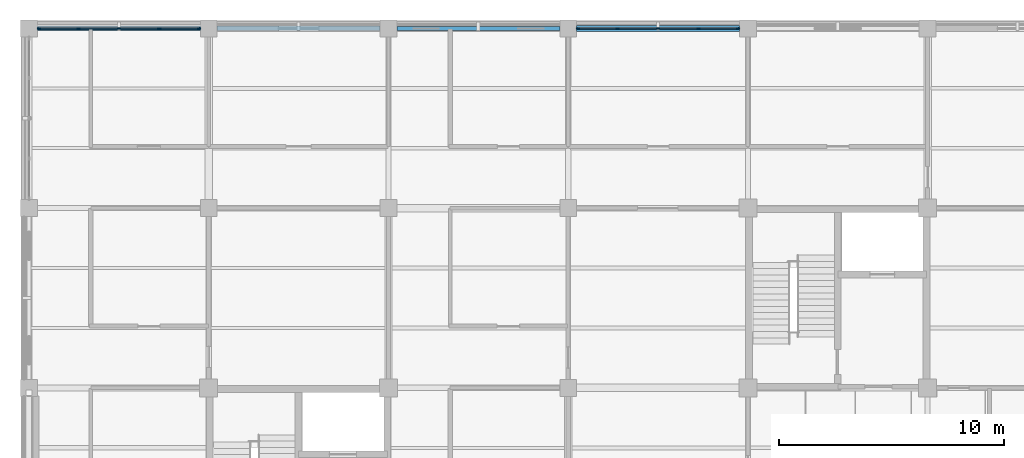
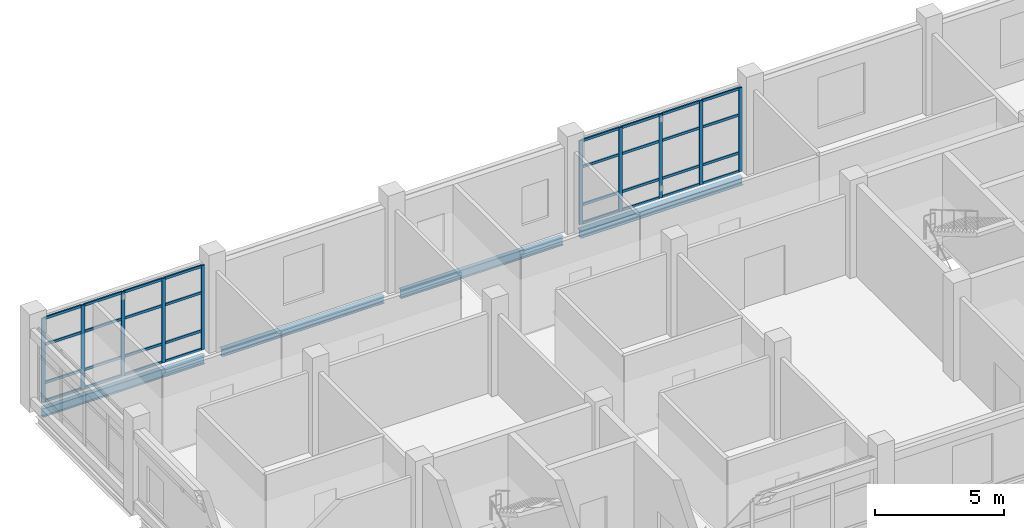
# One storey, part 36 of 121: 42 members, 4 beams, 2 elements without a shape of their own.
"""IFC4 building model written with IfcOpenShell, lengths in metres."""

from ifc_helpers import new_model, si_unit, derived_unit, direction, frame, origin, origin_2d, place, context, subcontext, project, spatial, rectangle, i_section, extrude, material, layer, layer_set, material_profile, profile_set, type_object, element, aggregate, save


model = new_model("IFC4")

# Units and contexts
model_context = context("Model", 3, precision=1e-05, world=origin(), true_north=direction((0.0, 1.0)))
body_context = subcontext(model_context, "Body", "Model", "MODEL_VIEW")
ifc_project = project(units=[si_unit("LENGTHUNIT", "METRE"), si_unit("AREAUNIT", "SQUARE_METRE"), si_unit("VOLUMEUNIT", "CUBIC_METRE"), si_unit("PLANEANGLEUNIT", "RADIAN"), si_unit("MASSUNIT", "GRAM", prefix="KILO"), derived_unit("THERMALTRANSMITTANCEUNIT", [(si_unit("MASSUNIT", "GRAM", prefix="KILO"), 1), (si_unit("TIMEUNIT", "SECOND"), -3), (si_unit("THERMODYNAMICTEMPERATUREUNIT", "KELVIN"), -1)])], contexts=[model_context])

# Site, building, storey
site_placement = place(None, origin())
site = spatial("IfcSite", under=ifc_project, at=site_placement, CompositionType="ELEMENT")
building_placement = place(site_placement, origin())
building = spatial("IfcBuilding", under=site, at=building_placement, Name="Veyamyaing Civic Hall", CompositionType="ELEMENT")
storey_placement = place(building_placement, frame((0.0, 0.0, 5.280029296875)))
storey = spatial("IfcBuildingStorey", under=building, at=storey_placement, Name="L01", CompositionType="ELEMENT", Elevation=5.280029296875)

# Beams
ifc_material_1 = material(Name="Steel ASTM A992", Category="steel")
ifc_material_profile_1 = material_profile(ifc_material_1, i_section(OverallWidth=0.179931640625, OverallDepth=0.4130859375, WebThickness=0.009765625, FlangeThickness=0.01611328125, FilletRadius=0.010009765625, at=origin_2d()), Name="W410X74")
ifc_profile_set_1 = profile_set([ifc_material_profile_1], Name="Steel ASTM A992")
beam_type_1 = type_object("IfcBeamType", Name="B-10", PredefinedType="SPANDREL", material=ifc_profile_set_1)
beam_1_placement = place(storey_placement, frame((0.375, 112.0, -0.451416015625), z_axis=(1.0, 0.0, 0.0), x_axis=(0.0, 1.0, 0.0)))
element("IfcBeam", 1, at=beam_1_placement, inside=storey, type_object=beam_type_1, Name="Girder B-10 L01 Grid Q 1-2", PredefinedType="SPANDREL", context=body_context, shape_type="SweptSolid", body=[
    extrude(i_section(OverallWidth=0.179931640625, OverallDepth=0.4130859375, WebThickness=0.009765625, FlangeThickness=0.01611328125, FilletRadius=0.010009765625, at=origin_2d()), origin(), (0.0, 0.0, 1.0), 7.25),
])
ifc_material_profile_2 = material_profile(ifc_material_1, i_section(OverallWidth=0.2041015625, OverallDepth=0.35009765625, WebThickness=0.0078125, FlangeThickness=0.01513671875, FilletRadius=0.010009765625, at=origin_2d()), Name="W360X72")
ifc_profile_set_2 = profile_set([ifc_material_profile_2], Name="Steel ASTM A992")
beam_type_2 = type_object("IfcBeamType", Name="B-11", PredefinedType="SPANDREL", material=ifc_profile_set_2)
beam_2_placement = place(storey_placement, frame((8.375, 112.0, -0.419921875), z_axis=(1.0, 0.0, 0.0), x_axis=(0.0, 1.0, 0.0)))
element("IfcBeam", 2, at=beam_2_placement, inside=storey, type_object=beam_type_2, Name="Girder B-11 L01 Grid Q 2-3", PredefinedType="SPANDREL", context=body_context, shape_type="SweptSolid", body=[
    extrude(i_section(OverallWidth=0.2041015625, OverallDepth=0.35009765625, WebThickness=0.0078125, FlangeThickness=0.01513671875, FilletRadius=0.010009765625, at=origin_2d()), origin(), (0.0, 0.0, 1.0), 7.25),
])
ifc_material_profile_3 = material_profile(ifc_material_1, i_section(OverallWidth=0.180908203125, OverallDepth=0.4169921875, WebThickness=0.010986328125, FlangeThickness=0.018310546875, FilletRadius=0.010009765625, at=origin_2d()), Name="W410X85")
ifc_profile_set_3 = profile_set([ifc_material_profile_3], Name="Steel ASTM A992")
beam_type_3 = type_object("IfcBeamType", Name="B-19", PredefinedType="SPANDREL", material=ifc_profile_set_3)
beam_3_placement = place(storey_placement, frame((16.375, 112.0, -0.45361328125), z_axis=(1.0, 0.0, 0.0), x_axis=(0.0, 1.0, 0.0)))
element("IfcBeam", 3, at=beam_3_placement, inside=storey, type_object=beam_type_3, Name="Girder B-19 L01 Grid Q 3-4", PredefinedType="SPANDREL", context=body_context, shape_type="SweptSolid", body=[
    extrude(i_section(OverallWidth=0.180908203125, OverallDepth=0.4169921875, WebThickness=0.010986328125, FlangeThickness=0.018310546875, FilletRadius=0.010009765625, at=origin_2d()), origin(), (0.0, 0.0, 1.0), 7.25),
])
ifc_material_profile_4 = material_profile(ifc_material_1, i_section(OverallWidth=0.25390625, OverallDepth=0.35302734375, WebThickness=0.009521484375, FlangeThickness=0.016357421875, FilletRadius=0.011962890625, at=origin_2d()), Name="W360X91")
ifc_profile_set_4 = profile_set([ifc_material_profile_4], Name="Steel ASTM A992")
beam_type_4 = type_object("IfcBeamType", Name="B-20", PredefinedType="SPANDREL", material=ifc_profile_set_4)
beam_4_placement = place(storey_placement, frame((24.375, 112.0, -0.421630859375), z_axis=(1.0, 0.0, 0.0), x_axis=(0.0, 1.0, 0.0)))
element("IfcBeam", 4, at=beam_4_placement, inside=storey, type_object=beam_type_4, Name="Girder B-20 L01 Grid Q 4-5", PredefinedType="SPANDREL", context=body_context, shape_type="SweptSolid", body=[
    extrude(i_section(OverallWidth=0.25390625, OverallDepth=0.35302734375, WebThickness=0.009521484375, FlangeThickness=0.016357421875, FilletRadius=0.011962890625, at=origin_2d()), origin(), (0.0, 0.0, 1.0), 7.25),
])

# Curtain wall, members
ifc_material_2 = material(Name="Anodised aluminium 6063-T6", Category="aluminium")
ifc_layer = layer(ifc_material_2, 0.159912109375, Name="Anodised aluminium 6063-T6")
ifc_layer_set = layer_set([ifc_layer], Name="Anodised aluminium 6063-T6")
curtain_wall_type = type_object("IfcCurtainWallType", Name="CW-02", PredefinedType="NOTDEFINED", material=ifc_layer_set)
curtain_wall_1_placement = place(storey_placement, origin())
curtain_wall_1 = element("IfcCurtainWall", 5, at=curtain_wall_1_placement, inside=storey, type_object=curtain_wall_type, Name="Unitized curtain wall CW-02 L01 N 1.14", PredefinedType="NOTDEFINED")
ifc_material_profile_5 = material_profile(ifc_material_2, rectangle(XDim=0.06494140625, YDim=0.159912109375, at=origin_2d()), Name="ALU-MUL-65X160")
ifc_profile_set_5 = profile_set([ifc_material_profile_5], Name="Anodised aluminium 6063-T6")
member_type_1 = type_object("IfcMemberType", Name="CWM-01", PredefinedType="MULLION", material=ifc_profile_set_5)
member_1_placement = place(storey_placement, frame((0.4375, 112.0, 0.0), z_axis=(0.0, 0.0, 1.0), x_axis=(0.0, 1.0, 0.0)))
member_1 = element("IfcMember", 6, at=member_1_placement, type_object=member_type_1, Name="CW-02 mullion 1", PredefinedType="MULLION", context=body_context, shape_type="SweptSolid", body=[
    extrude(rectangle(XDim=0.06494140625, YDim=0.159912109375, at=origin_2d()), origin(), (0.0, 0.0, 1.0), 3.97705078125),
])
member_2_placement = place(storey_placement, frame((2.202392578125, 112.0, 0.0), z_axis=(0.0, 0.0, 1.0), x_axis=(0.0, 1.0, 0.0)))
member_2 = element("IfcMember", 7, at=member_2_placement, type_object=member_type_1, Name="CW-02 mullion 2", PredefinedType="MULLION", context=body_context, shape_type="SweptSolid", body=[
    extrude(rectangle(XDim=0.06494140625, YDim=0.159912109375, at=origin_2d()), origin(), (0.0, 0.0, 1.0), 3.97705078125),
])
member_3_placement = place(storey_placement, frame((4.0, 112.0, 0.0), z_axis=(0.0, 0.0, 1.0), x_axis=(0.0, 1.0, 0.0)))
member_3 = element("IfcMember", 8, at=member_3_placement, type_object=member_type_1, Name="CW-02 mullion 3", PredefinedType="MULLION", context=body_context, shape_type="SweptSolid", body=[
    extrude(rectangle(XDim=0.06494140625, YDim=0.159912109375, at=origin_2d()), origin(), (0.0, 0.0, 1.0), 3.97705078125),
])
member_4_placement = place(storey_placement, frame((5.797607421875, 112.0, 0.0), z_axis=(0.0, 0.0, 1.0), x_axis=(0.0, 1.0, 0.0)))
member_4 = element("IfcMember", 9, at=member_4_placement, type_object=member_type_1, Name="CW-02 mullion 4", PredefinedType="MULLION", context=body_context, shape_type="SweptSolid", body=[
    extrude(rectangle(XDim=0.06494140625, YDim=0.159912109375, at=origin_2d()), origin(), (0.0, 0.0, 1.0), 3.97705078125),
])
member_5_placement = place(storey_placement, frame((7.5625, 112.0, 0.0), z_axis=(0.0, 0.0, 1.0), x_axis=(0.0, 1.0, 0.0)))
member_5 = element("IfcMember", 10, at=member_5_placement, type_object=member_type_1, Name="CW-02 mullion 5", PredefinedType="MULLION", context=body_context, shape_type="SweptSolid", body=[
    extrude(rectangle(XDim=0.06494140625, YDim=0.159912109375, at=origin_2d()), origin(), (0.0, 0.0, 1.0), 3.97705078125),
])

curtain_wall_2_placement = place(storey_placement, origin())
curtain_wall_2 = element("IfcCurtainWall", 11, at=curtain_wall_2_placement, inside=storey, type_object=curtain_wall_type, Name="Unitized curtain wall CW-02 L01 N 4.14", PredefinedType="NOTDEFINED")
member_6_placement = place(storey_placement, frame((24.4375, 112.0, 0.0), z_axis=(0.0, 0.0, 1.0), x_axis=(0.0, 1.0, 0.0)))
member_6 = element("IfcMember", 12, at=member_6_placement, type_object=member_type_1, Name="CW-02 mullion 1", PredefinedType="MULLION", context=body_context, shape_type="SweptSolid", body=[
    extrude(rectangle(XDim=0.06494140625, YDim=0.159912109375, at=origin_2d()), origin(), (0.0, 0.0, 1.0), 3.958984375),
])
member_7_placement = place(storey_placement, frame((26.202392578125, 112.0, 0.0), z_axis=(0.0, 0.0, 1.0), x_axis=(0.0, 1.0, 0.0)))
member_7 = element("IfcMember", 13, at=member_7_placement, type_object=member_type_1, Name="CW-02 mullion 2", PredefinedType="MULLION", context=body_context, shape_type="SweptSolid", body=[
    extrude(rectangle(XDim=0.06494140625, YDim=0.159912109375, at=origin_2d()), origin(), (0.0, 0.0, 1.0), 3.958984375),
])
member_8_placement = place(storey_placement, frame((28.0, 112.0, 0.0), z_axis=(0.0, 0.0, 1.0), x_axis=(0.0, 1.0, 0.0)))
member_8 = element("IfcMember", 14, at=member_8_placement, type_object=member_type_1, Name="CW-02 mullion 3", PredefinedType="MULLION", context=body_context, shape_type="SweptSolid", body=[
    extrude(rectangle(XDim=0.06494140625, YDim=0.159912109375, at=origin_2d()), origin(), (0.0, 0.0, 1.0), 3.958984375),
])
member_9_placement = place(storey_placement, frame((29.797607421875, 112.0, 0.0), z_axis=(0.0, 0.0, 1.0), x_axis=(0.0, 1.0, 0.0)))
member_9 = element("IfcMember", 15, at=member_9_placement, type_object=member_type_1, Name="CW-02 mullion 4", PredefinedType="MULLION", context=body_context, shape_type="SweptSolid", body=[
    extrude(rectangle(XDim=0.06494140625, YDim=0.159912109375, at=origin_2d()), origin(), (0.0, 0.0, 1.0), 3.958984375),
])
member_10_placement = place(storey_placement, frame((31.5625, 112.0, 0.0), z_axis=(0.0, 0.0, 1.0), x_axis=(0.0, 1.0, 0.0)))
member_10 = element("IfcMember", 16, at=member_10_placement, type_object=member_type_1, Name="CW-02 mullion 5", PredefinedType="MULLION", context=body_context, shape_type="SweptSolid", body=[
    extrude(rectangle(XDim=0.06494140625, YDim=0.159912109375, at=origin_2d()), origin(), (0.0, 0.0, 1.0), 3.958984375),
])

# Member
ifc_material_profile_6 = material_profile(ifc_material_2, rectangle(XDim=0.06494140625, YDim=0.1201171875, at=origin_2d()), Name="ALU-TRN-65X120")
ifc_profile_set_6 = profile_set([ifc_material_profile_6], Name="Anodised aluminium 6063-T6")
member_type_2 = type_object("IfcMemberType", Name="CWT-01", PredefinedType="USERDEFINED", material=ifc_profile_set_6)
member_11_placement = place(storey_placement, frame((0.469970703125, 112.0, 0.032470703125), z_axis=(1.0, 0.0, 0.0), x_axis=(0.0, 1.0, 0.0)))
member_11 = element("IfcMember", 17, at=member_11_placement, type_object=member_type_2, Name="CW-02 transom 1.1", ObjectType="TRANSOM", PredefinedType="USERDEFINED", context=body_context, shape_type="SweptSolid", body=[
    extrude(rectangle(XDim=0.06494140625, YDim=0.1201171875, at=origin_2d()), origin(), (0.0, 0.0, 1.0), 1.699951171875),
])

member_12_placement = place(storey_placement, frame((0.469970703125, 112.0, 0.89990234375), z_axis=(1.0, 0.0, 0.0), x_axis=(0.0, 1.0, 0.0)))
member_12 = element("IfcMember", 18, at=member_12_placement, type_object=member_type_2, Name="CW-02 transom 1.2", ObjectType="TRANSOM", PredefinedType="USERDEFINED", context=body_context, shape_type="SweptSolid", body=[
    extrude(rectangle(XDim=0.06494140625, YDim=0.1201171875, at=origin_2d()), origin(), (0.0, 0.0, 1.0), 1.699951171875),
])

member_13_placement = place(storey_placement, frame((0.469970703125, 112.0, 2.704345703125), z_axis=(1.0, 0.0, 0.0), x_axis=(0.0, 1.0, 0.0)))
member_13 = element("IfcMember", 19, at=member_13_placement, type_object=member_type_2, Name="CW-02 transom 1.3", ObjectType="TRANSOM", PredefinedType="USERDEFINED", context=body_context, shape_type="SweptSolid", body=[
    extrude(rectangle(XDim=0.06494140625, YDim=0.1201171875, at=origin_2d()), origin(), (0.0, 0.0, 1.0), 1.699951171875),
])

member_14_placement = place(storey_placement, frame((0.469970703125, 112.0, 3.944580078125), z_axis=(1.0, 0.0, 0.0), x_axis=(0.0, 1.0, 0.0)))
member_14 = element("IfcMember", 20, at=member_14_placement, type_object=member_type_2, Name="CW-02 transom 1.4", ObjectType="TRANSOM", PredefinedType="USERDEFINED", context=body_context, shape_type="SweptSolid", body=[
    extrude(rectangle(XDim=0.06494140625, YDim=0.1201171875, at=origin_2d()), origin(), (0.0, 0.0, 1.0), 1.699951171875),
])

member_15_placement = place(storey_placement, frame((2.235107421875, 112.0, 0.032470703125), z_axis=(1.0, 0.0, 0.0), x_axis=(0.0, 1.0, 0.0)))
member_15 = element("IfcMember", 21, at=member_15_placement, type_object=member_type_2, Name="CW-02 transom 2.1", ObjectType="TRANSOM", PredefinedType="USERDEFINED", context=body_context, shape_type="SweptSolid", body=[
    extrude(rectangle(XDim=0.06494140625, YDim=0.1201171875, at=origin_2d()), origin(), (0.0, 0.0, 1.0), 1.732421875),
])

member_16_placement = place(storey_placement, frame((2.235107421875, 112.0, 0.89990234375), z_axis=(1.0, 0.0, 0.0), x_axis=(0.0, 1.0, 0.0)))
member_16 = element("IfcMember", 22, at=member_16_placement, type_object=member_type_2, Name="CW-02 transom 2.2", ObjectType="TRANSOM", PredefinedType="USERDEFINED", context=body_context, shape_type="SweptSolid", body=[
    extrude(rectangle(XDim=0.06494140625, YDim=0.1201171875, at=origin_2d()), origin(), (0.0, 0.0, 1.0), 1.732421875),
])

member_17_placement = place(storey_placement, frame((2.235107421875, 112.0, 2.704345703125), z_axis=(1.0, 0.0, 0.0), x_axis=(0.0, 1.0, 0.0)))
member_17 = element("IfcMember", 23, at=member_17_placement, type_object=member_type_2, Name="CW-02 transom 2.3", ObjectType="TRANSOM", PredefinedType="USERDEFINED", context=body_context, shape_type="SweptSolid", body=[
    extrude(rectangle(XDim=0.06494140625, YDim=0.1201171875, at=origin_2d()), origin(), (0.0, 0.0, 1.0), 1.732421875),
])

member_18_placement = place(storey_placement, frame((2.235107421875, 112.0, 3.944580078125), z_axis=(1.0, 0.0, 0.0), x_axis=(0.0, 1.0, 0.0)))
member_18 = element("IfcMember", 24, at=member_18_placement, type_object=member_type_2, Name="CW-02 transom 2.4", ObjectType="TRANSOM", PredefinedType="USERDEFINED", context=body_context, shape_type="SweptSolid", body=[
    extrude(rectangle(XDim=0.06494140625, YDim=0.1201171875, at=origin_2d()), origin(), (0.0, 0.0, 1.0), 1.732421875),
])

member_19_placement = place(storey_placement, frame((4.032470703125, 112.0, 0.032470703125), z_axis=(1.0, 0.0, 0.0), x_axis=(0.0, 1.0, 0.0)))
member_19 = element("IfcMember", 25, at=member_19_placement, type_object=member_type_2, Name="CW-02 transom 3.1", ObjectType="TRANSOM", PredefinedType="USERDEFINED", context=body_context, shape_type="SweptSolid", body=[
    extrude(rectangle(XDim=0.06494140625, YDim=0.1201171875, at=origin_2d()), origin(), (0.0, 0.0, 1.0), 1.732421875),
])

member_20_placement = place(storey_placement, frame((4.032470703125, 112.0, 0.89990234375), z_axis=(1.0, 0.0, 0.0), x_axis=(0.0, 1.0, 0.0)))
member_20 = element("IfcMember", 26, at=member_20_placement, type_object=member_type_2, Name="CW-02 transom 3.2", ObjectType="TRANSOM", PredefinedType="USERDEFINED", context=body_context, shape_type="SweptSolid", body=[
    extrude(rectangle(XDim=0.06494140625, YDim=0.1201171875, at=origin_2d()), origin(), (0.0, 0.0, 1.0), 1.732421875),
])

member_21_placement = place(storey_placement, frame((4.032470703125, 112.0, 2.704345703125), z_axis=(1.0, 0.0, 0.0), x_axis=(0.0, 1.0, 0.0)))
member_21 = element("IfcMember", 27, at=member_21_placement, type_object=member_type_2, Name="CW-02 transom 3.3", ObjectType="TRANSOM", PredefinedType="USERDEFINED", context=body_context, shape_type="SweptSolid", body=[
    extrude(rectangle(XDim=0.06494140625, YDim=0.1201171875, at=origin_2d()), origin(), (0.0, 0.0, 1.0), 1.732421875),
])

member_22_placement = place(storey_placement, frame((4.032470703125, 112.0, 3.944580078125), z_axis=(1.0, 0.0, 0.0), x_axis=(0.0, 1.0, 0.0)))
member_22 = element("IfcMember", 28, at=member_22_placement, type_object=member_type_2, Name="CW-02 transom 3.4", ObjectType="TRANSOM", PredefinedType="USERDEFINED", context=body_context, shape_type="SweptSolid", body=[
    extrude(rectangle(XDim=0.06494140625, YDim=0.1201171875, at=origin_2d()), origin(), (0.0, 0.0, 1.0), 1.732421875),
])

member_23_placement = place(storey_placement, frame((5.830078125, 112.0, 0.032470703125), z_axis=(1.0, 0.0, 0.0), x_axis=(0.0, 1.0, 0.0)))
member_23 = element("IfcMember", 29, at=member_23_placement, type_object=member_type_2, Name="CW-02 transom 4.1", ObjectType="TRANSOM", PredefinedType="USERDEFINED", context=body_context, shape_type="SweptSolid", body=[
    extrude(rectangle(XDim=0.06494140625, YDim=0.1201171875, at=origin_2d()), origin(), (0.0, 0.0, 1.0), 1.699951171875),
])

member_24_placement = place(storey_placement, frame((5.830078125, 112.0, 0.89990234375), z_axis=(1.0, 0.0, 0.0), x_axis=(0.0, 1.0, 0.0)))
member_24 = element("IfcMember", 30, at=member_24_placement, type_object=member_type_2, Name="CW-02 transom 4.2", ObjectType="TRANSOM", PredefinedType="USERDEFINED", context=body_context, shape_type="SweptSolid", body=[
    extrude(rectangle(XDim=0.06494140625, YDim=0.1201171875, at=origin_2d()), origin(), (0.0, 0.0, 1.0), 1.699951171875),
])

member_25_placement = place(storey_placement, frame((5.830078125, 112.0, 2.704345703125), z_axis=(1.0, 0.0, 0.0), x_axis=(0.0, 1.0, 0.0)))
member_25 = element("IfcMember", 31, at=member_25_placement, type_object=member_type_2, Name="CW-02 transom 4.3", ObjectType="TRANSOM", PredefinedType="USERDEFINED", context=body_context, shape_type="SweptSolid", body=[
    extrude(rectangle(XDim=0.06494140625, YDim=0.1201171875, at=origin_2d()), origin(), (0.0, 0.0, 1.0), 1.699951171875),
])

member_26_placement = place(storey_placement, frame((5.830078125, 112.0, 3.944580078125), z_axis=(1.0, 0.0, 0.0), x_axis=(0.0, 1.0, 0.0)))
member_26 = element("IfcMember", 32, at=member_26_placement, type_object=member_type_2, Name="CW-02 transom 4.4", ObjectType="TRANSOM", PredefinedType="USERDEFINED", context=body_context, shape_type="SweptSolid", body=[
    extrude(rectangle(XDim=0.06494140625, YDim=0.1201171875, at=origin_2d()), origin(), (0.0, 0.0, 1.0), 1.699951171875),
])

aggregate(curtain_wall_1, [member_1, member_2, member_3, member_4, member_5, member_11, member_12, member_13, member_14, member_15, member_16, member_17, member_18, member_19, member_20, member_21, member_22, member_23, member_24, member_25, member_26])

member_27_placement = place(storey_placement, frame((24.469970703125, 112.0, 0.032470703125), z_axis=(1.0, 0.0, 0.0), x_axis=(0.0, 1.0, 0.0)))
member_27 = element("IfcMember", 33, at=member_27_placement, type_object=member_type_2, Name="CW-02 transom 1.1", ObjectType="TRANSOM", PredefinedType="USERDEFINED", context=body_context, shape_type="SweptSolid", body=[
    extrude(rectangle(XDim=0.06494140625, YDim=0.1201171875, at=origin_2d()), origin(), (0.0, 0.0, 1.0), 1.699951171875),
])

member_28_placement = place(storey_placement, frame((24.469970703125, 112.0, 0.89990234375), z_axis=(1.0, 0.0, 0.0), x_axis=(0.0, 1.0, 0.0)))
member_28 = element("IfcMember", 34, at=member_28_placement, type_object=member_type_2, Name="CW-02 transom 1.2", ObjectType="TRANSOM", PredefinedType="USERDEFINED", context=body_context, shape_type="SweptSolid", body=[
    extrude(rectangle(XDim=0.06494140625, YDim=0.1201171875, at=origin_2d()), origin(), (0.0, 0.0, 1.0), 1.699951171875),
])

member_29_placement = place(storey_placement, frame((24.469970703125, 112.0, 2.692138671875), z_axis=(1.0, 0.0, 0.0), x_axis=(0.0, 1.0, 0.0)))
member_29 = element("IfcMember", 35, at=member_29_placement, type_object=member_type_2, Name="CW-02 transom 1.3", ObjectType="TRANSOM", PredefinedType="USERDEFINED", context=body_context, shape_type="SweptSolid", body=[
    extrude(rectangle(XDim=0.06494140625, YDim=0.1201171875, at=origin_2d()), origin(), (0.0, 0.0, 1.0), 1.699951171875),
])

member_30_placement = place(storey_placement, frame((24.469970703125, 112.0, 3.926513671875), z_axis=(1.0, 0.0, 0.0), x_axis=(0.0, 1.0, 0.0)))
member_30 = element("IfcMember", 36, at=member_30_placement, type_object=member_type_2, Name="CW-02 transom 1.4", ObjectType="TRANSOM", PredefinedType="USERDEFINED", context=body_context, shape_type="SweptSolid", body=[
    extrude(rectangle(XDim=0.06494140625, YDim=0.1201171875, at=origin_2d()), origin(), (0.0, 0.0, 1.0), 1.699951171875),
])

member_31_placement = place(storey_placement, frame((26.235107421875, 112.0, 0.032470703125), z_axis=(1.0, 0.0, 0.0), x_axis=(0.0, 1.0, 0.0)))
member_31 = element("IfcMember", 37, at=member_31_placement, type_object=member_type_2, Name="CW-02 transom 2.1", ObjectType="TRANSOM", PredefinedType="USERDEFINED", context=body_context, shape_type="SweptSolid", body=[
    extrude(rectangle(XDim=0.06494140625, YDim=0.1201171875, at=origin_2d()), origin(), (0.0, 0.0, 1.0), 1.732421875),
])

member_32_placement = place(storey_placement, frame((26.235107421875, 112.0, 0.89990234375), z_axis=(1.0, 0.0, 0.0), x_axis=(0.0, 1.0, 0.0)))
member_32 = element("IfcMember", 38, at=member_32_placement, type_object=member_type_2, Name="CW-02 transom 2.2", ObjectType="TRANSOM", PredefinedType="USERDEFINED", context=body_context, shape_type="SweptSolid", body=[
    extrude(rectangle(XDim=0.06494140625, YDim=0.1201171875, at=origin_2d()), origin(), (0.0, 0.0, 1.0), 1.732421875),
])

member_33_placement = place(storey_placement, frame((26.235107421875, 112.0, 2.692138671875), z_axis=(1.0, 0.0, 0.0), x_axis=(0.0, 1.0, 0.0)))
member_33 = element("IfcMember", 39, at=member_33_placement, type_object=member_type_2, Name="CW-02 transom 2.3", ObjectType="TRANSOM", PredefinedType="USERDEFINED", context=body_context, shape_type="SweptSolid", body=[
    extrude(rectangle(XDim=0.06494140625, YDim=0.1201171875, at=origin_2d()), origin(), (0.0, 0.0, 1.0), 1.732421875),
])

member_34_placement = place(storey_placement, frame((26.235107421875, 112.0, 3.926513671875), z_axis=(1.0, 0.0, 0.0), x_axis=(0.0, 1.0, 0.0)))
member_34 = element("IfcMember", 40, at=member_34_placement, type_object=member_type_2, Name="CW-02 transom 2.4", ObjectType="TRANSOM", PredefinedType="USERDEFINED", context=body_context, shape_type="SweptSolid", body=[
    extrude(rectangle(XDim=0.06494140625, YDim=0.1201171875, at=origin_2d()), origin(), (0.0, 0.0, 1.0), 1.732421875),
])

member_35_placement = place(storey_placement, frame((28.032470703125, 112.0, 0.032470703125), z_axis=(1.0, 0.0, 0.0), x_axis=(0.0, 1.0, 0.0)))
member_35 = element("IfcMember", 41, at=member_35_placement, type_object=member_type_2, Name="CW-02 transom 3.1", ObjectType="TRANSOM", PredefinedType="USERDEFINED", context=body_context, shape_type="SweptSolid", body=[
    extrude(rectangle(XDim=0.06494140625, YDim=0.1201171875, at=origin_2d()), origin(), (0.0, 0.0, 1.0), 1.732421875),
])

member_36_placement = place(storey_placement, frame((28.032470703125, 112.0, 0.89990234375), z_axis=(1.0, 0.0, 0.0), x_axis=(0.0, 1.0, 0.0)))
member_36 = element("IfcMember", 42, at=member_36_placement, type_object=member_type_2, Name="CW-02 transom 3.2", ObjectType="TRANSOM", PredefinedType="USERDEFINED", context=body_context, shape_type="SweptSolid", body=[
    extrude(rectangle(XDim=0.06494140625, YDim=0.1201171875, at=origin_2d()), origin(), (0.0, 0.0, 1.0), 1.732421875),
])

member_37_placement = place(storey_placement, frame((28.032470703125, 112.0, 2.692138671875), z_axis=(1.0, 0.0, 0.0), x_axis=(0.0, 1.0, 0.0)))
member_37 = element("IfcMember", 43, at=member_37_placement, type_object=member_type_2, Name="CW-02 transom 3.3", ObjectType="TRANSOM", PredefinedType="USERDEFINED", context=body_context, shape_type="SweptSolid", body=[
    extrude(rectangle(XDim=0.06494140625, YDim=0.1201171875, at=origin_2d()), origin(), (0.0, 0.0, 1.0), 1.732421875),
])

member_38_placement = place(storey_placement, frame((28.032470703125, 112.0, 3.926513671875), z_axis=(1.0, 0.0, 0.0), x_axis=(0.0, 1.0, 0.0)))
member_38 = element("IfcMember", 44, at=member_38_placement, type_object=member_type_2, Name="CW-02 transom 3.4", ObjectType="TRANSOM", PredefinedType="USERDEFINED", context=body_context, shape_type="SweptSolid", body=[
    extrude(rectangle(XDim=0.06494140625, YDim=0.1201171875, at=origin_2d()), origin(), (0.0, 0.0, 1.0), 1.732421875),
])

member_39_placement = place(storey_placement, frame((29.830078125, 112.0, 0.032470703125), z_axis=(1.0, 0.0, 0.0), x_axis=(0.0, 1.0, 0.0)))
member_39 = element("IfcMember", 45, at=member_39_placement, type_object=member_type_2, Name="CW-02 transom 4.1", ObjectType="TRANSOM", PredefinedType="USERDEFINED", context=body_context, shape_type="SweptSolid", body=[
    extrude(rectangle(XDim=0.06494140625, YDim=0.1201171875, at=origin_2d()), origin(), (0.0, 0.0, 1.0), 1.699951171875),
])

member_40_placement = place(storey_placement, frame((29.830078125, 112.0, 0.89990234375), z_axis=(1.0, 0.0, 0.0), x_axis=(0.0, 1.0, 0.0)))
member_40 = element("IfcMember", 46, at=member_40_placement, type_object=member_type_2, Name="CW-02 transom 4.2", ObjectType="TRANSOM", PredefinedType="USERDEFINED", context=body_context, shape_type="SweptSolid", body=[
    extrude(rectangle(XDim=0.06494140625, YDim=0.1201171875, at=origin_2d()), origin(), (0.0, 0.0, 1.0), 1.699951171875),
])

member_41_placement = place(storey_placement, frame((29.830078125, 112.0, 2.692138671875), z_axis=(1.0, 0.0, 0.0), x_axis=(0.0, 1.0, 0.0)))
member_41 = element("IfcMember", 47, at=member_41_placement, type_object=member_type_2, Name="CW-02 transom 4.3", ObjectType="TRANSOM", PredefinedType="USERDEFINED", context=body_context, shape_type="SweptSolid", body=[
    extrude(rectangle(XDim=0.06494140625, YDim=0.1201171875, at=origin_2d()), origin(), (0.0, 0.0, 1.0), 1.699951171875),
])

member_42_placement = place(storey_placement, frame((29.830078125, 112.0, 3.926513671875), z_axis=(1.0, 0.0, 0.0), x_axis=(0.0, 1.0, 0.0)))
member_42 = element("IfcMember", 48, at=member_42_placement, type_object=member_type_2, Name="CW-02 transom 4.4", ObjectType="TRANSOM", PredefinedType="USERDEFINED", context=body_context, shape_type="SweptSolid", body=[
    extrude(rectangle(XDim=0.06494140625, YDim=0.1201171875, at=origin_2d()), origin(), (0.0, 0.0, 1.0), 1.699951171875),
])

aggregate(curtain_wall_2, [member_6, member_7, member_8, member_9, member_10, member_27, member_28, member_29, member_30, member_31, member_32, member_33, member_34, member_35, member_36, member_37, member_38, member_39, member_40, member_41, member_42])

save(model, "model.ifc")
